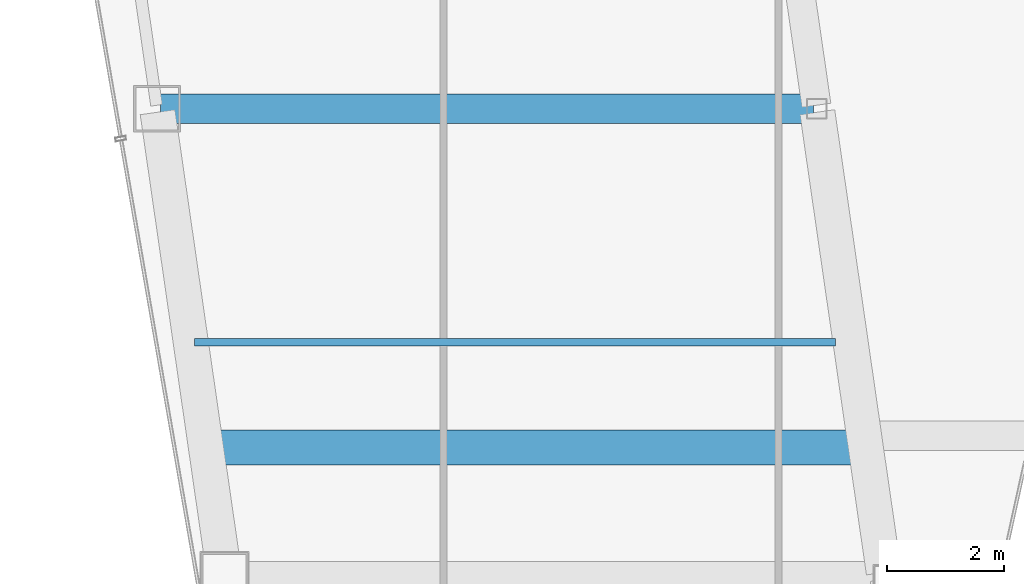
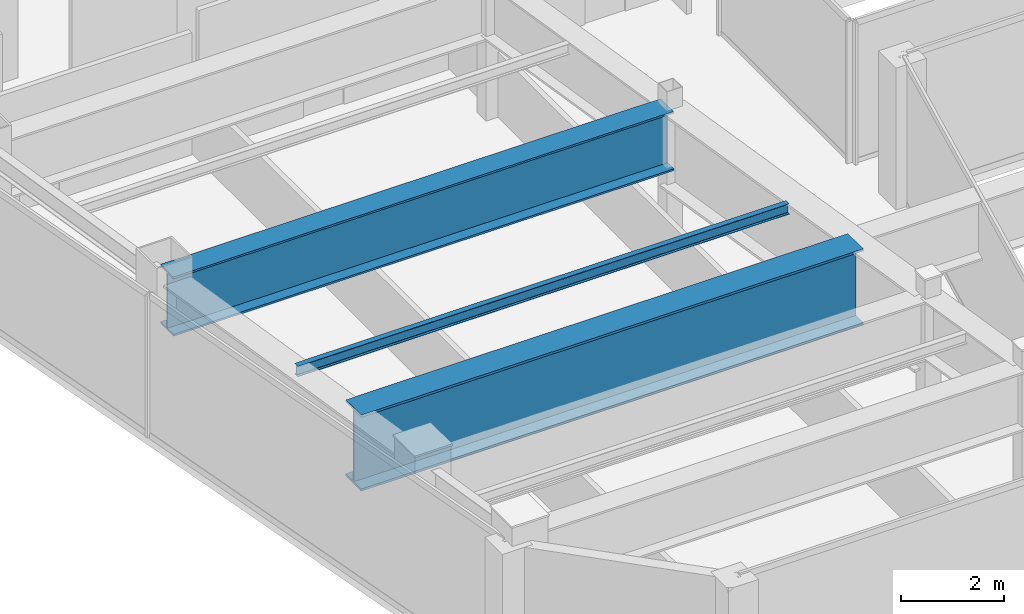
# One storey, part 5 of 35: 3 beams.
"""IFC4 building model written with IfcOpenShell, lengths in metres."""

from ifc_helpers import new_model, si_unit, direction, frame, origin, origin_2d, place, context, subcontext, project, spatial, i_section, extrude, material, material_profile, profile_set, type_object, element, save


model = new_model("IFC4")

# Units and contexts
model_context = context("Model", 3, precision=1e-05, world=origin(), true_north=direction((0.0, 1.0)))
body_context = subcontext(model_context, "Body", "Model", "MODEL_VIEW")
ifc_project = project(units=[si_unit("LENGTHUNIT", "METRE"), si_unit("AREAUNIT", "SQUARE_METRE"), si_unit("VOLUMEUNIT", "CUBIC_METRE"), si_unit("PLANEANGLEUNIT", "RADIAN"), si_unit("MASSUNIT", "GRAM", prefix="KILO")], contexts=[model_context])

# Site, building, storey
site_placement = place(None, origin())
site = spatial("IfcSite", under=ifc_project, at=site_placement, CompositionType="ELEMENT")
building_placement = place(site_placement, origin())
building = spatial("IfcBuilding", under=site, at=building_placement, Name="Saevonmaru Cultural Tower", CompositionType="ELEMENT")
storey_placement = place(building_placement, frame((0.0, 0.0, 249.60009765625)))
storey = spatial("IfcBuildingStorey", under=building, at=storey_placement, Name="L58", CompositionType="ELEMENT", Elevation=249.60009765625)

# Beams
ifc_material_1 = material(Name="Steel SM355", Category="steel")
ifc_material_profile_1 = material_profile(ifc_material_1, i_section(OverallWidth=0.125, OverallDepth=0.25, WebThickness=0.006103515625, FlangeThickness=0.009033203125, FilletRadius=0.008056640625, at=origin_2d()), Name="H-250x125x6x9")
ifc_profile_set_1 = profile_set([ifc_material_profile_1], Name="Steel SM355")
beam_type_1 = type_object("IfcBeamType", Name="BM-J-H250", PredefinedType="JOIST", material=ifc_profile_set_1)
beam_1_placement = place(storey_placement, frame((8.95458984375, 28.0, 3.224853515625), z_axis=(1.0, 0.0, 0.0), x_axis=(0.0, 1.0, 0.0)))
element("IfcBeam", 1, at=beam_1_placement, inside=storey, type_object=beam_type_1, Name="L58 West Wing Floor Joist 2", PredefinedType="JOIST", context=body_context, shape_type="SweptSolid", body=[
    extrude(i_section(OverallWidth=0.125, OverallDepth=0.25, WebThickness=0.006103515625, FlangeThickness=0.009033203125, FilletRadius=0.008056640625, at=origin_2d()), origin(), (0.0, 0.0, 1.0), 10.98193359375),
])
ifc_material_2 = material(Name="Steel HSA600 (600 MPa)", Category="steel")
ifc_material_profile_2 = material_profile(ifc_material_2, i_section(OverallWidth=0.5, OverallDepth=1.39990234375, WebThickness=0.02392578125, FlangeThickness=0.044921875, at=origin_2d()), Name="PG-1400x500x24x45")
ifc_profile_set_2 = profile_set([ifc_material_profile_2], Name="Steel HSA600 (600 MPa)")
beam_type_2 = type_object("IfcBeamType", Name="BM-TG-PG1400", PredefinedType="BEAM", material=ifc_profile_set_2)
beam_2_placement = place(storey_placement, frame((8.376953125, 32.0, 2.64990234375), z_axis=(1.0, 0.0, 0.0), x_axis=(0.0, 1.0, 0.0)))
element("IfcBeam", 2, at=beam_2_placement, inside=storey, type_object=beam_type_2, Name="L58 West Wing Transverse Girder 3", PredefinedType="BEAM", context=body_context, shape_type="SweptSolid", body=[
    extrude(i_section(OverallWidth=0.5, OverallDepth=1.39990234375, WebThickness=0.02392578125, FlangeThickness=0.044921875, at=origin_2d()), origin(), (0.0, 0.0, 1.0), 11.179931640625),
])
ifc_material_profile_3 = material_profile(ifc_material_2, i_section(OverallWidth=0.60009765625, OverallDepth=1.800048828125, WebThickness=0.028076171875, FlangeThickness=0.054931640625, at=origin_2d()), Name="PG-1800x600x28x55")
ifc_profile_set_3 = profile_set([ifc_material_profile_3], Name="Steel HSA600 (600 MPa)")
beam_type_3 = type_object("IfcBeamType", Name="BM-TG-PG1800", PredefinedType="BEAM", material=ifc_profile_set_3)
beam_3_placement = place(storey_placement, frame((9.1943359375, 26.199951171875, 2.449951171875), z_axis=(1.0, 0.0, 0.0), x_axis=(0.0, 1.0, 0.0)))
element("IfcBeam", 3, at=beam_3_placement, inside=storey, type_object=beam_type_3, Name="L58 Setback Transfer Plate Girder West", PredefinedType="BEAM", context=body_context, shape_type="SweptSolid", body=[
    extrude(i_section(OverallWidth=0.60009765625, OverallDepth=1.800048828125, WebThickness=0.028076171875, FlangeThickness=0.054931640625, at=origin_2d()), origin(), (0.0, 0.0, 1.0), 11.219970703125),
])

save(model, "model.ifc")
